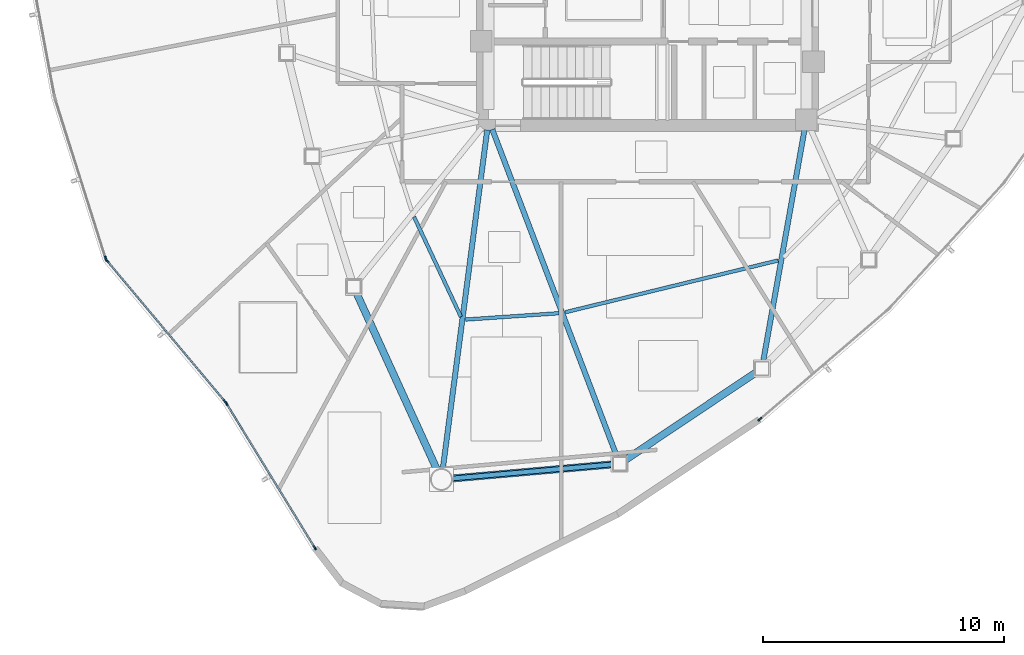
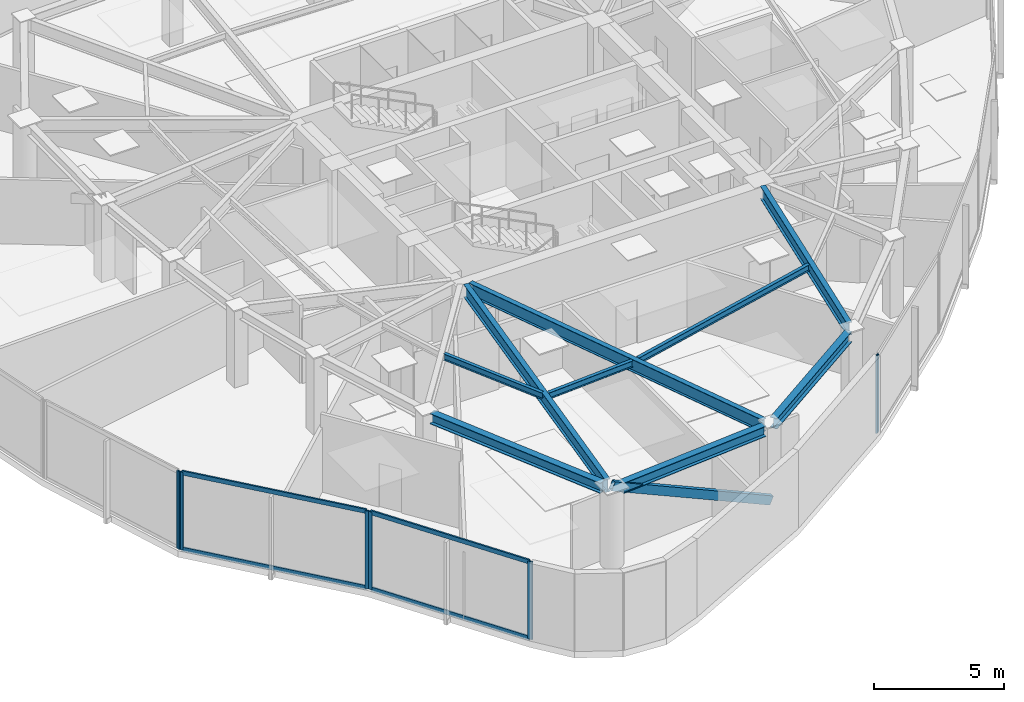
# One storey, part 2 of 13: 11 members, 9 beams, 4 elements without a shape of their own.
"""IFC4 building model written with IfcOpenShell, lengths in metres."""

from ifc_helpers import new_model, si_unit, direction, frame, origin, origin_2d, place, context, subcontext, project, spatial, hollow_rectangle, i_section, extrude, source, transform, mapped, material, layer, layer_set, material_profile, profile_set, type_object, type_shapes, element, aggregate, save


model = new_model("IFC4")

# Units and contexts
model_context = context("Model", 3, precision=1e-05, world=origin(), true_north=direction((0.0, 1.0)))
body_context = subcontext(model_context, "Body", "Model", "MODEL_VIEW")
ifc_project = project(units=[si_unit("LENGTHUNIT", "METRE"), si_unit("AREAUNIT", "SQUARE_METRE"), si_unit("VOLUMEUNIT", "CUBIC_METRE"), si_unit("PLANEANGLEUNIT", "RADIAN"), si_unit("MASSUNIT", "GRAM", prefix="KILO")], contexts=[model_context])

# Site, building, storey
site_placement = place(None, origin())
site = spatial("IfcSite", under=ifc_project, at=site_placement, CompositionType="ELEMENT")
building_placement = place(site_placement, origin())
building = spatial("IfcBuilding", under=site, at=building_placement, Name="Tavelor Broadcast Tower", CompositionType="ELEMENT")
storey_placement = place(building_placement, frame((0.0, 0.0, 226.10009765625)))
storey = spatial("IfcBuildingStorey", under=building, at=storey_placement, Name="L53", CompositionType="ELEMENT", Elevation=226.10009765625)

# Beams
ifc_material_1 = material(Name="Steel S355", Category="steel")
ifc_material_profile_1 = material_profile(ifc_material_1, i_section(OverallWidth=0.14990234375, OverallDepth=0.300048828125, WebThickness=0.007080078125, FlangeThickness=0.0107421875, at=origin_2d()), Name="IPE 300")
ifc_profile_set_1 = profile_set([ifc_material_profile_1], Name="Steel S355")
beam_type_1 = type_object("IfcBeamType", Name="Composite Floor Joist T5 IPE 300", PredefinedType="JOIST", material=ifc_profile_set_1)
beam_1_placement = place(storey_placement, frame((40.303466796875, 34.76123046875, 3.5), z_axis=(0.424747696097, -0.905311766553, 0.0), x_axis=(0.905311766553, 0.424747696097, 0.0)))
element("IfcBeam", 1, at=beam_1_placement, inside=storey, type_object=beam_type_1, Name="L53 Secondary Composite Floor Joist 06", PredefinedType="JOIST", context=body_context, shape_type="SweptSolid", body=[
    extrude(i_section(OverallWidth=0.14990234375, OverallDepth=0.300048828125, WebThickness=0.007080078125, FlangeThickness=0.0107421875, at=origin_2d()), origin(), (0.0, 0.0, 1.0), 4.583984375),
])
beam_2_placement = place(storey_placement, frame((42.44873046875, 30.49462890625, 3.5), z_axis=(0.997688348821, 0.067955563618, 0.0), x_axis=(-0.067955563618, 0.997688348821, 0.0)))
element("IfcBeam", 2, at=beam_2_placement, inside=storey, type_object=beam_type_1, Name="L53 Secondary Composite Floor Joist 07", PredefinedType="JOIST", context=body_context, shape_type="SweptSolid", body=[
    extrude(i_section(OverallWidth=0.14990234375, OverallDepth=0.300048828125, WebThickness=0.007080078125, FlangeThickness=0.0107421875, at=origin_2d()), origin(), (0.0, 0.0, 1.0), 3.880126953125),
])
beam_3_placement = place(storey_placement, frame((46.59423828125, 30.80078125, 3.5), z_axis=(0.971661934331, 0.236374883124, 0.0), x_axis=(-0.236374883124, 0.971661934331, 0.0)))
element("IfcBeam", 3, at=beam_3_placement, inside=storey, type_object=beam_type_1, Name="L53 Secondary Composite Floor Joist 08", PredefinedType="JOIST", context=body_context, shape_type="SweptSolid", body=[
    extrude(i_section(OverallWidth=0.14990234375, OverallDepth=0.300048828125, WebThickness=0.007080078125, FlangeThickness=0.0107421875, at=origin_2d()), origin(), (0.0, 0.0, 1.0), 9.089111328125),
])
ifc_material_profile_2 = material_profile(ifc_material_1, i_section(OverallWidth=0.300048828125, OverallDepth=0.489990234375, WebThickness=0.011962890625, FlangeThickness=0.02294921875, at=origin_2d()), Name="HEA 500")
ifc_profile_set_2 = profile_set([ifc_material_profile_2], Name="Steel S355")
beam_type_2 = type_object("IfcBeamType", Name="Perimeter Spandrel Beam T5 HEA 500", PredefinedType="SPANDREL", material=ifc_profile_set_2)
beam_4_placement = place(storey_placement, frame((37.91650390625, 31.59130859375, 3.40478515625), z_axis=(0.414437010202, -0.910077999171, 0.0), x_axis=(0.910077999171, 0.414437010202, 0.0)))
element("IfcBeam", 4, at=beam_4_placement, inside=storey, type_object=beam_type_2, Name="L53 Framed-Tube Ring Spandrel 06", PredefinedType="SPANDREL", context=body_context, shape_type="SweptSolid", body=[
    extrude(i_section(OverallWidth=0.300048828125, OverallDepth=0.489990234375, WebThickness=0.011962890625, FlangeThickness=0.02294921875, at=origin_2d()), origin(), (0.0, 0.0, 1.0), 8.0634765625),
])
beam_5_placement = place(storey_placement, frame((41.877197265625, 23.89208984375, 3.40478515625), z_axis=(0.996152506101, 0.087636662361, 0.0), x_axis=(-0.087636662361, 0.996152506101, 0.0)))
element("IfcBeam", 5, at=beam_5_placement, inside=storey, type_object=beam_type_2, Name="L53 Framed-Tube Ring Spandrel 07", PredefinedType="SPANDREL", context=body_context, shape_type="SweptSolid", body=[
    extrude(i_section(OverallWidth=0.300048828125, OverallDepth=0.489990234375, WebThickness=0.011962890625, FlangeThickness=0.02294921875, at=origin_2d()), origin(), (0.0, 0.0, 1.0), 6.70556640625),
])
beam_6_placement = place(storey_placement, frame((49.083251953125, 24.665283203125, 3.40478515625), z_axis=(0.830979943124, 0.556302376523, 0.0), x_axis=(-0.556302376523, 0.830979943124, 0.0)))
element("IfcBeam", 6, at=beam_6_placement, inside=storey, type_object=beam_type_2, Name="L53 Framed-Tube Ring Spandrel 08", PredefinedType="SPANDREL", context=body_context, shape_type="SweptSolid", body=[
    extrude(i_section(OverallWidth=0.300048828125, OverallDepth=0.489990234375, WebThickness=0.011962890625, FlangeThickness=0.02294921875, at=origin_2d()), origin(), (0.0, 0.0, 1.0), 6.536376953125),
])

# Member
ifc_material_profile_3 = material_profile(ifc_material_1, hollow_rectangle(XDim=0.199951171875, YDim=0.39990234375, WallThickness=0.01611328125, at=origin_2d()), Name="RHS 400x200x16")
ifc_profile_set_3 = profile_set([ifc_material_profile_3], Name="Steel S355")
member_type_1 = type_object("IfcMemberType", Name="Perimeter Tube Brace T5 RHS 400x200x16", PredefinedType="BRACE", material=ifc_profile_set_3)
member_1_placement = place(storey_placement, frame((48.843994140625, 24.5048828125, 0.0), z_axis=(-0.894155458176, -0.07863591001, 0.440797470808), x_axis=(0.087606208465, -0.996155184817, 0.0)))
element("IfcMember", 7, at=member_1_placement, inside=storey, type_object=member_type_1, Name="L53 Corner Tube Diagonal Brace 2", PredefinedType="BRACE", context=body_context, shape_type="SweptSolid", body=[
    extrude(hollow_rectangle(XDim=0.199951171875, YDim=0.39990234375, WallThickness=0.01611328125, at=origin_2d()), origin(), (0.0, 0.0, 1.0), 8.2802734375),
])

# Beams
ifc_material_profile_4 = material_profile(ifc_material_1, i_section(OverallWidth=0.219970703125, OverallDepth=0.60009765625, WebThickness=0.011962890625, FlangeThickness=0.01904296875, at=origin_2d()), Name="IPE 600")
ifc_profile_set_4 = profile_set([ifc_material_profile_4], Name="Steel S355")
beam_type_3 = type_object("IfcBeamType", Name="Radial Floor Girder T5 IPE 600", PredefinedType="BEAM", material=ifc_profile_set_4)
beam_7_placement = place(storey_placement, frame((43.34375, 38.37158203125, 3.349853515625), z_axis=(-0.130000517012, -0.991513926063, 0.0), x_axis=(0.991513926063, -0.130000517012, 0.0)))
element("IfcBeam", 8, at=beam_7_placement, inside=storey, type_object=beam_type_3, Name="L53 Radial Primary Floor Girder 07", PredefinedType="BEAM", context=body_context, shape_type="SweptSolid", body=[
    extrude(i_section(OverallWidth=0.219970703125, OverallDepth=0.60009765625, WebThickness=0.011962890625, FlangeThickness=0.01904296875, at=origin_2d()), origin(), (0.0, 0.0, 1.0), 14.203369140625),
])
beam_8_placement = place(storey_placement, frame((43.5537109375, 38.396240234375, 3.349853515625), z_axis=(0.355898513414, -0.934524610778, 0.0), x_axis=(0.934524610778, 0.355898513414, 0.0)))
element("IfcBeam", 9, at=beam_8_placement, inside=storey, type_object=beam_type_3, Name="L53 Radial Primary Floor Girder 08", PredefinedType="BEAM", context=body_context, shape_type="SweptSolid", body=[
    extrude(i_section(OverallWidth=0.219970703125, OverallDepth=0.60009765625, WebThickness=0.011962890625, FlangeThickness=0.01904296875, at=origin_2d()), origin(), (0.0, 0.0, 1.0), 14.576416015625),
])
beam_9_placement = place(storey_placement, frame((56.524169921875, 38.374755859375, 3.349853515625), z_axis=(-0.175781136437, -0.984429272255, 0.0), x_axis=(0.984429272255, -0.175781136437, 0.0)))
element("IfcBeam", 10, at=beam_9_placement, inside=storey, type_object=beam_type_3, Name="L53 Radial Primary Floor Girder 09", PredefinedType="BEAM", context=body_context, shape_type="SweptSolid", body=[
    extrude(i_section(OverallWidth=0.219970703125, OverallDepth=0.60009765625, WebThickness=0.011962890625, FlangeThickness=0.01904296875, at=origin_2d()), origin(), (0.0, 0.0, 1.0), 9.781982421875),
])

# Curtain wall, member
ifc_material_2 = material(Name="Architectural Anodized Aluminium", Category="aluminium")
ifc_layer = layer(ifc_material_2, 0.199951171875)
ifc_layer_set = layer_set([ifc_layer], Name="Architectural Anodized Aluminium")
curtain_wall_type = type_object("IfcCurtainWallType", Name="Tower High-Zone Triple-Glazed Curtain Wall CW04", PredefinedType="NOTDEFINED", material=ifc_layer_set)
curtain_wall_1_placement = place(storey_placement, origin())
curtain_wall_1 = element("IfcCurtainWall", 11, at=curtain_wall_1_placement, inside=storey, type_object=curtain_wall_type, Name="L53 Curtain Wall CW04 Run 566", PredefinedType="NOTDEFINED")
ifc_material_profile_5 = material_profile(ifc_material_2, hollow_rectangle(XDim=0.070068359375, YDim=0.199951171875, WallThickness=0.02197265625, at=origin_2d()), Name="RHS 70x200x22")
ifc_profile_set_5 = profile_set([ifc_material_profile_5], Name="Architectural Anodized Aluminium")
member_type_2 = type_object("IfcMemberType", Name="CW04 Extruded Aluminium Mullion 70x200", PredefinedType="MULLION", material=ifc_profile_set_5)
shared_shape_1 = source(origin(), body_context, "Body", "SweptSolid", [
    extrude(hollow_rectangle(XDim=0.070068359375, YDim=0.199951171875, WallThickness=0.02197265625, at=origin_2d()), origin(), (0.0, 0.0, 1.0), 3.64990234375),
])
type_shapes(member_type_2, [shared_shape_1])
member_2_placement = place(storey_placement, frame((27.497314453125, 33.03173828125, 0.0), z_axis=(0.0, 0.0, 1.0), x_axis=(0.953320883456, 0.301959091875, 0.0)))
member_2 = element("IfcMember", 12, at=member_2_placement, type_object=member_type_2, Name="CW04 mullion 2", PredefinedType="MULLION", context=body_context, shape_type="MappedRepresentation", body=[
    mapped(shared_shape_1, transform((0.0, 0.0, 0.0), scale=1.0)),
])
aggregate(curtain_wall_1, [member_2])

# Curtain wall, members
curtain_wall_2_placement = place(storey_placement, origin())
curtain_wall_2 = element("IfcCurtainWall", 13, at=curtain_wall_2_placement, inside=storey, type_object=curtain_wall_type, Name="L53 Curtain Wall CW04 Run 567", PredefinedType="NOTDEFINED")
member_3_placement = place(storey_placement, frame((27.54443359375, 32.945556640625, 0.0), z_axis=(0.0, 0.0, 1.0), x_axis=(0.766519618858, 0.642220891832, 0.0)))
member_3 = element("IfcMember", 14, at=member_3_placement, type_object=member_type_2, Name="CW04 mullion 1", PredefinedType="MULLION", context=body_context, shape_type="MappedRepresentation", body=[
    mapped(shared_shape_1, transform((0.0, 0.0, 0.0), scale=1.0)),
])
member_4_placement = place(storey_placement, frame((32.453857421875, 27.0859375, 0.0), z_axis=(0.0, 0.0, 1.0), x_axis=(0.766519618858, 0.642220891832, 0.0)))
member_4 = element("IfcMember", 15, at=member_4_placement, type_object=member_type_2, Name="CW04 mullion 2", PredefinedType="MULLION", context=body_context, shape_type="MappedRepresentation", body=[
    mapped(shared_shape_1, transform((0.0, 0.0, 0.0), scale=1.0)),
])

curtain_wall_3_placement = place(storey_placement, origin())
curtain_wall_3 = element("IfcCurtainWall", 16, at=curtain_wall_3_placement, inside=storey, type_object=curtain_wall_type, Name="L53 Curtain Wall CW04 Run 568", PredefinedType="NOTDEFINED")
member_5_placement = place(storey_placement, frame((32.51220703125, 27.005126953125, 0.0), z_axis=(0.0, 0.0, 1.0), x_axis=(0.852857585137, 0.522143600434, 0.0)))
member_5 = element("IfcMember", 17, at=member_5_placement, type_object=member_type_2, Name="CW04 mullion 1", PredefinedType="MULLION", context=body_context, shape_type="MappedRepresentation", body=[
    mapped(shared_shape_1, transform((0.0, 0.0, 0.0), scale=1.0)),
])
member_6_placement = place(storey_placement, frame((36.177490234375, 21.01806640625, 0.0), z_axis=(0.0, 0.0, 1.0), x_axis=(0.852857585137, 0.522143600434, 0.0)))
member_6 = element("IfcMember", 18, at=member_6_placement, type_object=member_type_2, Name="CW04 mullion 2", PredefinedType="MULLION", context=body_context, shape_type="MappedRepresentation", body=[
    mapped(shared_shape_1, transform((0.0, 0.0, 0.0), scale=1.0)),
])

# Curtain wall, member
curtain_wall_4_placement = place(storey_placement, origin())
curtain_wall_4 = element("IfcCurtainWall", 19, at=curtain_wall_4_placement, inside=storey, type_object=curtain_wall_type, Name="L53 Curtain Wall CW04 Run 569", PredefinedType="NOTDEFINED")
member_7_placement = place(storey_placement, frame((54.671142578125, 26.35302734375, 0.0), z_axis=(0.0, 0.0, 1.0), x_axis=(-0.65110698588, 0.758985963597, 0.0)))
member_7 = element("IfcMember", 20, at=member_7_placement, type_object=member_type_2, Name="CW04 mullion 1", PredefinedType="MULLION", context=body_context, shape_type="MappedRepresentation", body=[
    mapped(shared_shape_1, transform((0.0, 0.0, 0.0), scale=1.0)),
])
aggregate(curtain_wall_4, [member_7])

# Member
ifc_material_profile_6 = material_profile(ifc_material_2, hollow_rectangle(XDim=0.070068359375, YDim=0.199951171875, WallThickness=0.02197265625, at=origin_2d()), Name="RHS 70x200x22")
ifc_profile_set_6 = profile_set([ifc_material_profile_6], Name="Architectural Anodized Aluminium")
member_type_3 = type_object("IfcMemberType", Name="CW04 Extruded Aluminium Transom 70x200", PredefinedType="USERDEFINED", material=ifc_profile_set_6)
shared_shape_2 = source(origin(), body_context, "Body", "SweptSolid", [
    extrude(hollow_rectangle(XDim=0.070068359375, YDim=0.199951171875, WallThickness=0.02197265625, at=origin_2d()), origin(), (0.0, 0.0, 1.0), 7.57470703125),
])
member_8_placement = place(storey_placement, frame((27.56689453125, 32.9189453125, 0.034912109375), z_axis=(0.642211161467, -0.766527771243, 0.0), x_axis=(0.766527771243, 0.642211161467, 0.0)))
member_8 = element("IfcMember", 21, at=member_8_placement, type_object=member_type_3, Name="CW04 transom 1.1", ObjectType="TRANSOM", PredefinedType="USERDEFINED", context=body_context, shape_type="MappedRepresentation", body=[
    mapped(shared_shape_2, transform((0.0, 0.0, 0.0), scale=1.0)),
])

member_9_placement = place(storey_placement, frame((27.56689453125, 32.9189453125, 3.614990234375), z_axis=(0.642211161467, -0.766527771243, 0.0), x_axis=(0.766527771243, 0.642211161467, 0.0)))
member_9 = element("IfcMember", 22, at=member_9_placement, type_object=member_type_3, Name="CW04 transom 1.2", ObjectType="TRANSOM", PredefinedType="USERDEFINED", context=body_context, shape_type="MappedRepresentation", body=[
    mapped(shared_shape_2, transform((0.0, 0.0, 0.0), scale=1.0)),
])

aggregate(curtain_wall_2, [member_3, member_4, member_8, member_9])

shared_shape_3 = source(origin(), body_context, "Body", "SweptSolid", [
    extrude(hollow_rectangle(XDim=0.070068359375, YDim=0.199951171875, WallThickness=0.02197265625, at=origin_2d()), origin(), (0.0, 0.0, 1.0), 6.949462890625),
])
type_shapes(member_type_3, [shared_shape_2, shared_shape_3])
member_10_placement = place(storey_placement, frame((32.530517578125, 26.97509765625, 0.034912109375), z_axis=(0.522141865687, -0.852858647196, 0.0), x_axis=(0.852858647196, 0.522141865687, 0.0)))
member_10 = element("IfcMember", 23, at=member_10_placement, type_object=member_type_3, Name="CW04 transom 1.1", ObjectType="TRANSOM", PredefinedType="USERDEFINED", context=body_context, shape_type="MappedRepresentation", body=[
    mapped(shared_shape_3, transform((0.0, 0.0, 0.0), scale=1.0)),
])

member_11_placement = place(storey_placement, frame((32.530517578125, 26.97509765625, 3.614990234375), z_axis=(0.522141865687, -0.852858647196, 0.0), x_axis=(0.852858647196, 0.522141865687, 0.0)))
member_11 = element("IfcMember", 24, at=member_11_placement, type_object=member_type_3, Name="CW04 transom 1.2", ObjectType="TRANSOM", PredefinedType="USERDEFINED", context=body_context, shape_type="MappedRepresentation", body=[
    mapped(shared_shape_3, transform((0.0, 0.0, 0.0), scale=1.0)),
])

aggregate(curtain_wall_3, [member_5, member_6, member_10, member_11])

save(model, "model.ifc")
